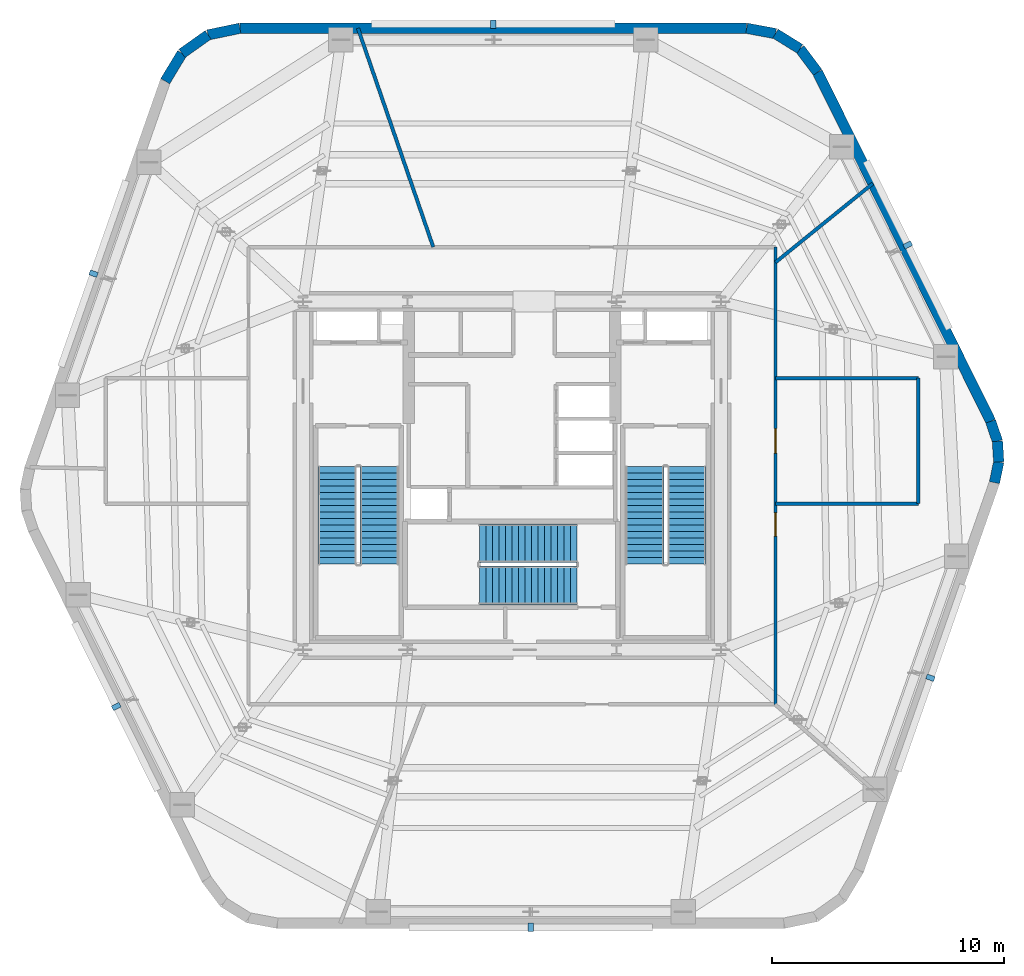
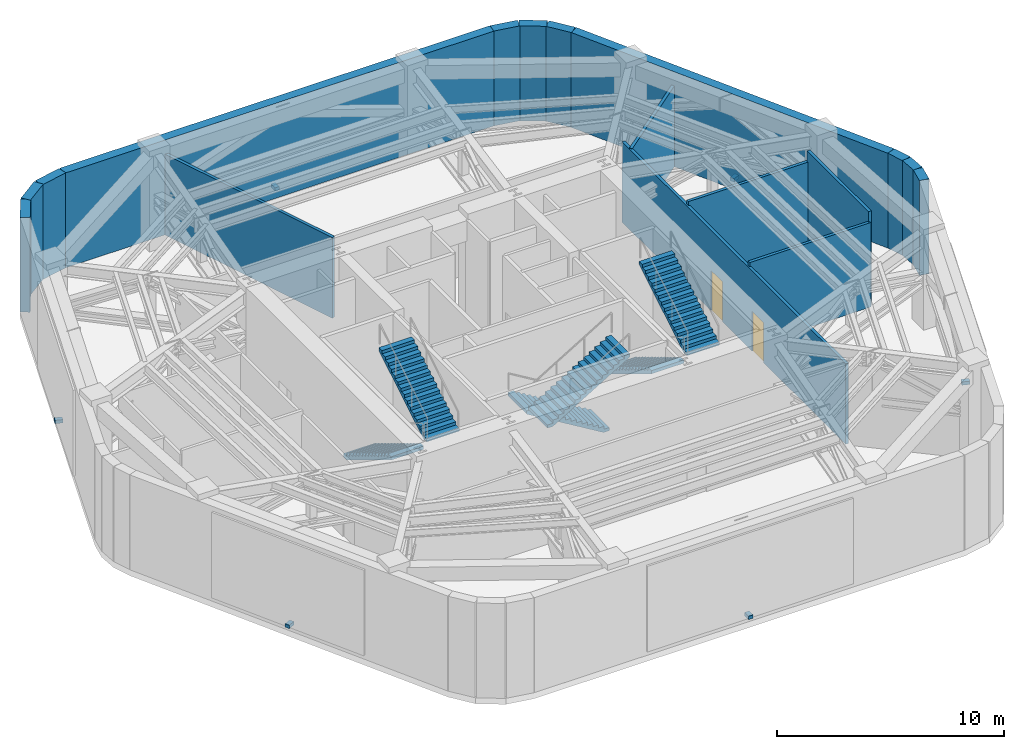
# One storey, part 7 of 10: 17 walls, 6 discrete accessories, 6 stair flights, 2 doors, 2 openings, 3 elements without a shape of their own.
"""IFC4 building model written with IfcOpenShell, lengths in metres."""

from ifc_helpers import new_model, si_unit, direction, frame, frame_2d, origin, origin_2d, place, context, subcontext, project, spatial, polyline, rectangle, outline, extrude, material, layer, layer_set, type_object, element, fill, aggregate, save


model = new_model("IFC4")

# Units and contexts
model_context = context("Model", 3, precision=1e-05, world=origin(), true_north=direction((0.0, 1.0)))
body_context = subcontext(model_context, "Body", "Model", "MODEL_VIEW")
ifc_project = project(units=[si_unit("LENGTHUNIT", "METRE"), si_unit("AREAUNIT", "SQUARE_METRE"), si_unit("VOLUMEUNIT", "CUBIC_METRE"), si_unit("PLANEANGLEUNIT", "RADIAN"), si_unit("MASSUNIT", "GRAM", prefix="KILO")], contexts=[model_context])

# Site, building, storey
site_placement = place(None, origin())
site = spatial("IfcSite", under=ifc_project, at=site_placement, CompositionType="ELEMENT")
building_placement = place(site_placement, origin())
building = spatial("IfcBuilding", under=site, at=building_placement, Name="Kilnhurst Terrace Hotel", CompositionType="ELEMENT")
storey_placement = place(building_placement, frame((0.0, 0.0, 170.199951171875)))
storey = spatial("IfcBuildingStorey", under=building, at=storey_placement, Name="L42", CompositionType="ELEMENT", Elevation=170.199951171875)

# Walls
ifc_material_1 = material(Name="Precast concrete C40/50", Category="concrete")
ifc_layer_1 = layer(ifc_material_1, 0.449951171875, Name="Precast concrete C40/50")
ifc_layer_set_1 = layer_set([ifc_layer_1], Name="Precast concrete C40/50")
wall_type_1 = type_object("IfcWallType", Name="WL-BRK-450", PredefinedType="SOLIDWALL", material=ifc_layer_set_1)
wall_1_placement = place(storey_placement, frame((20.78173828125, -0.298095703125, 0.0), z_axis=(0.0, 0.0, 1.0), x_axis=(0.202570068411, 0.979267771033, 0.0)))
element("IfcWall", 1, at=wall_1_placement, inside=storey, type_object=wall_type_1, Name="L42 Rounded Corner Brick Wall C3.1", PredefinedType="SOLIDWALL", context=body_context, shape_type="SweptSolid", body=[
    extrude(rectangle(XDim=0.90869140625, YDim=0.449951171875, at=frame_2d((0.454345703125, 0.0))), origin(), (0.0, 0.0, 1.0), 5.10009765625),
])
wall_2_placement = place(storey_placement, frame((20.9658203125, 0.591796875, 0.0), z_axis=(0.0, 0.0, 1.0), x_axis=(-0.061748898935, 0.998091715966, 0.0)))
element("IfcWall", 2, at=wall_2_placement, inside=storey, type_object=wall_type_1, Name="L42 Rounded Corner Brick Wall C3.2", PredefinedType="SOLIDWALL", context=body_context, shape_type="SweptSolid", body=[
    extrude(rectangle(XDim=0.8935546875, YDim=0.449951171875, at=frame_2d((0.44677734375, 0.0))), origin(), (0.0, 0.0, 1.0), 5.10009765625),
])
wall_3_placement = place(storey_placement, frame((20.91064453125, 1.483642578125, 0.0), z_axis=(0.0, 0.0, 1.0), x_axis=(-0.321623334353, 0.946867694453, 0.0)))
element("IfcWall", 3, at=wall_3_placement, inside=storey, type_object=wall_type_1, Name="L42 Rounded Corner Brick Wall C3.3", PredefinedType="SOLIDWALL", context=body_context, shape_type="SweptSolid", body=[
    extrude(rectangle(XDim=0.90869140625, YDim=0.449951171875, at=frame_2d((0.454345703125, 0.0))), origin(), (0.0, 0.0, 1.0), 5.10009765625),
])
wall_4_placement = place(storey_placement, frame((13.162353515625, 17.380615234375, 0.0), z_axis=(0.0, 0.0, 1.0), x_axis=(-0.601515770517, 0.798860925205, 0.0)))
element("IfcWall", 4, at=wall_4_placement, inside=storey, type_object=wall_type_1, Name="L42 Rounded Corner Brick Wall C4.1", PredefinedType="SOLIDWALL", context=body_context, shape_type="SweptSolid", body=[
    extrude(rectangle(XDim=1.261962890625, YDim=0.449951171875, at=frame_2d((0.630859375, 0.0))), origin(), (0.0, 0.0, 1.0), 5.10009765625),
])
wall_5_placement = place(storey_placement, frame((12.4033203125, 18.388671875, 0.0), z_axis=(0.0, 0.0, 1.0), x_axis=(-0.849795170926, 0.527113049991, 0.0)))
element("IfcWall", 5, at=wall_5_placement, inside=storey, type_object=wall_type_1, Name="L42 Rounded Corner Brick Wall C4.2", PredefinedType="SOLIDWALL", context=body_context, shape_type="SweptSolid", body=[
    extrude(rectangle(XDim=1.24072265625, YDim=0.449951171875, at=frame_2d((0.620361328125, 0.0))), origin(), (0.0, 0.0, 1.0), 5.10009765625),
])
wall_6_placement = place(storey_placement, frame((11.348876953125, 19.042724609375, 0.0), z_axis=(0.0, 0.0, 1.0), x_axis=(-0.982931267051, 0.183973161772, 0.0)))
element("IfcWall", 6, at=wall_6_placement, inside=storey, type_object=wall_type_1, Name="L42 Rounded Corner Brick Wall C4.3", PredefinedType="SOLIDWALL", context=body_context, shape_type="SweptSolid", body=[
    extrude(rectangle(XDim=1.261962890625, YDim=0.449951171875, at=frame_2d((0.630859375, 0.0))), origin(), (0.0, 0.0, 1.0), 5.10009765625),
])
wall_7_placement = place(storey_placement, frame((-11.720458984375, 19.27490234375, 0.0), z_axis=(0.0, 0.0, 1.0), x_axis=(-0.97893106758, -0.204191001093, 0.0)))
element("IfcWall", 7, at=wall_7_placement, inside=storey, type_object=wall_type_1, Name="L42 Rounded Corner Brick Wall C5.1", PredefinedType="SOLIDWALL", context=body_context, shape_type="SweptSolid", body=[
    extrude(rectangle(XDim=1.400146484375, YDim=0.449951171875, at=frame_2d((0.7001953125, 0.0))), origin(), (0.0, 0.0, 1.0), 5.10009765625),
])
wall_8_placement = place(storey_placement, frame((-13.091064453125, 18.989013671875, 0.0), z_axis=(0.0, 0.0, 1.0), x_axis=(-0.815574637848, -0.578651890258, 0.0)))
element("IfcWall", 8, at=wall_8_placement, inside=storey, type_object=wall_type_1, Name="L42 Rounded Corner Brick Wall C5.2", PredefinedType="SOLIDWALL", context=body_context, shape_type="SweptSolid", body=[
    extrude(rectangle(XDim=1.376708984375, YDim=0.449951171875, at=frame_2d((0.6884765625, 0.0))), origin(), (0.0, 0.0, 1.0), 5.10009765625),
])
wall_9_placement = place(storey_placement, frame((-14.2138671875, 18.1923828125, 0.0), z_axis=(0.0, 0.0, 1.0), x_axis=(-0.516340945502, -0.856383108193, 0.0)))
element("IfcWall", 9, at=wall_9_placement, inside=storey, type_object=wall_type_1, Name="L42 Rounded Corner Brick Wall C5.3", PredefinedType="SOLIDWALL", context=body_context, shape_type="SweptSolid", body=[
    extrude(rectangle(XDim=1.400146484375, YDim=0.449951171875, at=frame_2d((0.7001953125, 0.0))), origin(), (0.0, 0.0, 1.0), 5.10009765625),
])
wall_10_placement = place(storey_placement, frame((20.618408203125, 2.343994140625, 0.0), z_axis=(0.0, 0.0, 1.0), x_axis=(-0.444243691097, 0.895905990002, 0.0)))
element("IfcWall", 10, at=wall_10_placement, inside=storey, type_object=wall_type_1, Name="L42 Exterior Brick Facade Wall F3", PredefinedType="SOLIDWALL", context=body_context, shape_type="SweptSolid", body=[
    extrude(rectangle(XDim=16.78369140625, YDim=0.449951171875, at=frame_2d((8.391845703125, 0.0))), origin(), (0.0, 0.0, 1.0), 5.10009765625),
])
wall_11_placement = place(storey_placement, frame((10.1083984375, 19.27490234375, 0.0), z_axis=(0.0, 0.0, 1.0), x_axis=(-1.0, 0.0, 0.0)))
element("IfcWall", 11, at=wall_11_placement, inside=storey, type_object=wall_type_1, Name="L42 Exterior Brick Facade Wall F4", PredefinedType="SOLIDWALL", context=body_context, shape_type="SweptSolid", body=[
    extrude(rectangle(XDim=21.828857421875, YDim=0.449951171875, at=frame_2d((10.91455078125, 0.0))), origin(), (0.0, 0.0, 1.0), 5.10009765625),
])

# Wall, openings, doors
ifc_material_2 = material(Name="Acoustic Double-Gypsum Corridor Partition Assembly")
ifc_layer_2 = layer(ifc_material_2, 0.14990234375, Name="Acoustic Double-Gypsum Corridor Partition Assembly")
ifc_layer_set_2 = layer_set([ifc_layer_2], Name="Acoustic Double-Gypsum Corridor Partition Assembly")
wall_type_2 = type_object("IfcWallType", Name="WL-COR-150", PredefinedType="PARTITIONING", material=ifc_layer_set_2)
wall_12_placement = place(storey_placement, frame((11.35009765625, 9.85009765625, 0.0), z_axis=(0.0, 0.0, 1.0), x_axis=(0.0, -1.0, 0.0)))
wall_12 = element("IfcWall", 12, at=wall_12_placement, inside=storey, type_object=wall_type_2, Name="L42 Interior Wall WL-L42-COR-03", PredefinedType="PARTITIONING", context=body_context, shape_type="SweptSolid", body=[
    extrude(rectangle(XDim=19.7001953125, YDim=0.14990234375, at=frame_2d((9.85009765625, 0.0))), origin(), (0.0, 0.0, 1.0), 4.31640625),
])
opening_1_placement = place(wall_12_placement, frame((7.824951171875, 0.0, 0.0)))
opening_1 = element("IfcOpeningElement", 13, at=opening_1_placement, cuts=wall_12, Name="Opening D-90A", PredefinedType="OPENING", context=body_context, shape_type="SweptSolid", body=[
    extrude(rectangle(XDim=1.050048828125, YDim=2.14990234375, at=frame_2d((0.52490234375, 1.074951171875))), frame((0.0, 0.0849609375, 0.0), z_axis=(0.0, -1.0, 0.0), x_axis=(1.0, 0.0, 0.0)), (0.0, 0.0, 1.0), 0.169921875),
])
opening_2_placement = place(wall_12_placement, frame((11.446044921875, 0.0, 0.0)))
opening_2 = element("IfcOpeningElement", 14, at=opening_2_placement, cuts=wall_12, Name="Opening D-90B", PredefinedType="OPENING", context=body_context, shape_type="SweptSolid", body=[
    extrude(rectangle(XDim=1.0, YDim=2.14990234375, at=frame_2d((0.5, 1.074951171875))), frame((0.0, 0.0849609375, 0.0), z_axis=(0.0, -1.0, 0.0), x_axis=(1.0, 0.0, 0.0)), (0.0, 0.0, 1.0), 0.169921875),
])
ifc_material_3 = material(Name="Painted Hollow Metal Steel ASTM A36 Fire Door", Category="steel")
door_type_1 = type_object("IfcDoorType", Name="DR-FD90-1000", OperationType="NOTDEFINED", PredefinedType="DOOR", material=ifc_material_3)
door_1_placement = place(opening_2_placement, origin())
door_1 = element("IfcDoor", 15, at=door_1_placement, inside=storey, type_object=door_type_1, Name="L42 Building Automation and Telecom Plant Room Door", OperationType="SINGLE_SWING_LEFT", OverallHeight=2.14990234375, OverallWidth=1.0, PredefinedType="DOOR", context=body_context, shape_type="SweptSolid", body=[
    extrude(rectangle(XDim=1.0, YDim=2.14990234375, at=frame_2d((0.5, 1.074951171875))), frame((0.0, 0.02490234375, 0.0), z_axis=(0.0, -1.0, 0.0), x_axis=(1.0, 0.0, 0.0)), (0.0, 0.0, 1.0), 0.050048828125),
])
fill(opening_2, door_1)
door_type_2 = type_object("IfcDoorType", Name="DR-FD90-1050", OperationType="NOTDEFINED", PredefinedType="DOOR", material=ifc_material_3)
door_2_placement = place(opening_1_placement, origin())
door_2 = element("IfcDoor", 16, at=door_2_placement, inside=storey, type_object=door_type_2, Name="L42 East Area of Refuge Door", OperationType="SINGLE_SWING_RIGHT", OverallHeight=2.14990234375, OverallWidth=1.050048828125, PredefinedType="DOOR", context=body_context, shape_type="SweptSolid", body=[
    extrude(rectangle(XDim=1.050048828125, YDim=2.14990234375, at=frame_2d((0.52490234375, 1.074951171875))), frame((0.0, 0.02490234375, 0.0), z_axis=(0.0, -1.0, 0.0), x_axis=(1.0, 0.0, 0.0)), (0.0, 0.0, 1.0), 0.050048828125),
])
fill(opening_1, door_2)

# Walls
for number, where, z_axis, x_axis, name in (
    (17, (11.35009765625, -1.199951171875, 0.0), (0.0, 0.0, 1.0), (1.0, 0.0, 0.0), "L42 Interior Wall WL-L42-REF-E-S"),
    (18, (11.35009765625, 4.199951171875, 0.0), (0.0, 0.0, 1.0), (1.0, 0.0, 0.0), "L42 Interior Wall WL-L42-REF-E-N"),
):
    element("IfcWall", number, at=place(storey_placement, frame(where, z_axis=z_axis, x_axis=x_axis)), inside=storey, type_object=wall_type_2, Name=name, PredefinedType="PARTITIONING", context=body_context, shape_type="SweptSolid", body=[
        extrude(rectangle(XDim=6.14990234375, YDim=0.14990234375, at=frame_2d((3.074951171875, 0.0))), origin(), (0.0, 0.0, 1.0), 4.54052734375),
    ])
wall_13_placement = place(storey_placement, frame((17.5, -1.199951171875, 0.0), z_axis=(0.0, 0.0, 1.0), x_axis=(0.0, 1.0, 0.0)))
element("IfcWall", 19, at=wall_13_placement, inside=storey, type_object=wall_type_2, Name="L42 Interior Wall WL-L42-REF-E-OUT", PredefinedType="PARTITIONING", context=body_context, shape_type="SweptSolid", body=[
    extrude(rectangle(XDim=5.39990234375, YDim=0.14990234375, at=frame_2d((2.699951171875, 0.0))), origin(), (0.0, 0.0, 1.0), 5.10009765625),
])
wall_14_placement = place(storey_placement, frame((11.35009765625, 9.19091796875, 0.0), z_axis=(0.0, 0.0, 1.0), x_axis=(0.777126765843, 0.62934409492, 0.0)))
element("IfcWall", 20, at=wall_14_placement, inside=storey, type_object=wall_type_2, Name="L42 Interior Wall WL-L42-PDIV-1-1", PredefinedType="PARTITIONING", context=body_context, shape_type="SweptSolid", body=[
    extrude(rectangle(XDim=5.39208984375, YDim=0.14990234375, at=frame_2d((2.696044921875, 0.0))), origin(), (0.0, 0.0, 1.0), 4.340087890625),
])
wall_15_placement = place(storey_placement, frame((-3.3916015625, 9.85009765625, 0.0), z_axis=(0.0, 0.0, 1.0), x_axis=(-0.325580784727, 0.945514226554, 0.0)))
element("IfcWall", 21, at=wall_15_placement, inside=storey, type_object=wall_type_2, Name="L42 Interior Wall WL-L42-PDIV-2-1", PredefinedType="PARTITIONING", context=body_context, shape_type="SweptSolid", body=[
    extrude(rectangle(XDim=9.968017578125, YDim=0.14990234375, at=frame_2d((4.98388671875, 0.0))), origin(), (0.0, 0.0, 1.0), 4.340087890625),
])

# Stair, stair flights
ifc_material_4 = material(Name="Concrete C50/60", Category="concrete")
stair_type = type_object("IfcStairType", Name="STR-CORE-1660", PredefinedType="HALF_TURN_STAIR", material=ifc_material_4)
stair_1_placement = place(storey_placement, origin())
stair_1 = element("IfcStair", 22, at=stair_1_placement, inside=storey, type_object=stair_type, Name="L42 ST-1", PredefinedType="HALF_TURN_STAIR")
stair_flight_type = type_object("IfcStairFlightType", Name="FLT-RC-1660", PredefinedType="STRAIGHT", material=ifc_material_4)
stair_flight_1_placement = place(storey_placement, frame((-7.52001953125, 0.389892578125, 0.0), z_axis=(0.0, 0.0, 1.0), x_axis=(0.0, -1.0, 0.0)))
stair_flight_1 = element("IfcStairFlight", 23, at=stair_flight_1_placement, type_object=stair_flight_type, Name="ST-1 flight 1", NumberOfRisers=16, NumberOfTreads=15, PredefinedType="STRAIGHT", RiserHeight=0.16875, TreadLength=0.28, context=body_context, shape_type="SweptSolid", body=[
    extrude(outline(polyline([(0.0, 0.0), (0.0, 0.168701171875), (0.280029296875, 0.168701171875), (0.280029296875, 0.33740234375), (0.56005859375, 0.33740234375), (0.56005859375, 0.50634765625), (0.840087890625, 0.50634765625), (0.840087890625, 0.675048828125), (1.1201171875, 0.675048828125), (1.1201171875, 0.84375), (1.39990234375, 0.84375), (1.39990234375, 1.012451171875), (1.679931640625, 1.012451171875), (1.679931640625, 1.18115234375), (1.9599609375, 1.18115234375), (1.9599609375, 1.35009765625), (2.239990234375, 1.35009765625), (2.239990234375, 1.518798828125), (2.52001953125, 1.518798828125), (2.52001953125, 1.6875), (2.800048828125, 1.6875), (2.800048828125, 1.856201171875), (3.080078125, 1.856201171875), (3.080078125, 2.02490234375), (3.360107421875, 2.02490234375), (3.360107421875, 2.19384765625), (3.639892578125, 2.19384765625), (3.639892578125, 2.362548828125), (3.919921875, 2.362548828125), (3.919921875, 2.53125), (4.199951171875, 2.53125), (4.199951171875, 2.699951171875), (4.199951171875, 2.356201171875), (0.29052734375, 0.0), (0.0, 0.0)])), frame((0.0, 0.830078125, 0.0), z_axis=(0.0, -1.0, 0.0), x_axis=(1.0, 0.0, 0.0)), (0.0, 0.0, 1.0), 1.659912109375),
])
stair_flight_2_placement = place(storey_placement, frame((-5.7099609375, -3.81005859375, 2.699951171875), z_axis=(0.0, 0.0, 1.0), x_axis=(0.0, 1.0, 0.0)))
stair_flight_2 = element("IfcStairFlight", 24, at=stair_flight_2_placement, type_object=stair_flight_type, Name="ST-1 flight 2", NumberOfRisers=16, NumberOfTreads=15, PredefinedType="STRAIGHT", RiserHeight=0.16875, TreadLength=0.28, context=body_context, shape_type="SweptSolid", body=[
    extrude(outline(polyline([(0.0, 0.0), (0.0, 0.168701171875), (0.280029296875, 0.168701171875), (0.280029296875, 0.33740234375), (0.56005859375, 0.33740234375), (0.56005859375, 0.50634765625), (0.840087890625, 0.50634765625), (0.840087890625, 0.675048828125), (1.1201171875, 0.675048828125), (1.1201171875, 0.84375), (1.39990234375, 0.84375), (1.39990234375, 1.012451171875), (1.679931640625, 1.012451171875), (1.679931640625, 1.18115234375), (1.9599609375, 1.18115234375), (1.9599609375, 1.35009765625), (2.239990234375, 1.35009765625), (2.239990234375, 1.518798828125), (2.52001953125, 1.518798828125), (2.52001953125, 1.6875), (2.800048828125, 1.6875), (2.800048828125, 1.856201171875), (3.080078125, 1.856201171875), (3.080078125, 2.02490234375), (3.360107421875, 2.02490234375), (3.360107421875, 2.19384765625), (3.639892578125, 2.19384765625), (3.639892578125, 2.362548828125), (3.919921875, 2.362548828125), (3.919921875, 2.53125), (4.199951171875, 2.53125), (4.199951171875, 2.699951171875), (4.199951171875, 2.356201171875), (0.29052734375, 0.0), (0.0, 0.0)])), frame((0.0, 0.830078125, 0.0), z_axis=(0.0, -1.0, 0.0), x_axis=(1.0, 0.0, 0.0)), (0.0, 0.0, 1.0), 1.659912109375),
])
aggregate(stair_1, [stair_flight_1, stair_flight_2])

stair_2_placement = place(storey_placement, origin())
stair_2 = element("IfcStair", 25, at=stair_2_placement, inside=storey, type_object=stair_type, Name="L42 ST-2", PredefinedType="HALF_TURN_STAIR")
stair_flight_3_placement = place(storey_placement, frame((5.7099609375, 0.389892578125, 0.0), z_axis=(0.0, 0.0, 1.0), x_axis=(0.0, -1.0, 0.0)))
stair_flight_3 = element("IfcStairFlight", 26, at=stair_flight_3_placement, type_object=stair_flight_type, Name="ST-2 flight 1", NumberOfRisers=16, NumberOfTreads=15, PredefinedType="STRAIGHT", RiserHeight=0.16875, TreadLength=0.28, context=body_context, shape_type="SweptSolid", body=[
    extrude(outline(polyline([(0.0, 0.0), (0.0, 0.168701171875), (0.280029296875, 0.168701171875), (0.280029296875, 0.33740234375), (0.56005859375, 0.33740234375), (0.56005859375, 0.50634765625), (0.840087890625, 0.50634765625), (0.840087890625, 0.675048828125), (1.1201171875, 0.675048828125), (1.1201171875, 0.84375), (1.39990234375, 0.84375), (1.39990234375, 1.012451171875), (1.679931640625, 1.012451171875), (1.679931640625, 1.18115234375), (1.9599609375, 1.18115234375), (1.9599609375, 1.35009765625), (2.239990234375, 1.35009765625), (2.239990234375, 1.518798828125), (2.52001953125, 1.518798828125), (2.52001953125, 1.6875), (2.800048828125, 1.6875), (2.800048828125, 1.856201171875), (3.080078125, 1.856201171875), (3.080078125, 2.02490234375), (3.360107421875, 2.02490234375), (3.360107421875, 2.19384765625), (3.639892578125, 2.19384765625), (3.639892578125, 2.362548828125), (3.919921875, 2.362548828125), (3.919921875, 2.53125), (4.199951171875, 2.53125), (4.199951171875, 2.699951171875), (4.199951171875, 2.356201171875), (0.29052734375, 0.0), (0.0, 0.0)])), frame((0.0, 0.830078125, 0.0), z_axis=(0.0, -1.0, 0.0), x_axis=(1.0, 0.0, 0.0)), (0.0, 0.0, 1.0), 1.659912109375),
])
stair_flight_4_placement = place(storey_placement, frame((7.52001953125, -3.81005859375, 2.699951171875), z_axis=(0.0, 0.0, 1.0), x_axis=(0.0, 1.0, 0.0)))
stair_flight_4 = element("IfcStairFlight", 27, at=stair_flight_4_placement, type_object=stair_flight_type, Name="ST-2 flight 2", NumberOfRisers=16, NumberOfTreads=15, PredefinedType="STRAIGHT", RiserHeight=0.16875, TreadLength=0.28, context=body_context, shape_type="SweptSolid", body=[
    extrude(outline(polyline([(0.0, 0.0), (0.0, 0.168701171875), (0.280029296875, 0.168701171875), (0.280029296875, 0.33740234375), (0.56005859375, 0.33740234375), (0.56005859375, 0.50634765625), (0.840087890625, 0.50634765625), (0.840087890625, 0.675048828125), (1.1201171875, 0.675048828125), (1.1201171875, 0.84375), (1.39990234375, 0.84375), (1.39990234375, 1.012451171875), (1.679931640625, 1.012451171875), (1.679931640625, 1.18115234375), (1.9599609375, 1.18115234375), (1.9599609375, 1.35009765625), (2.239990234375, 1.35009765625), (2.239990234375, 1.518798828125), (2.52001953125, 1.518798828125), (2.52001953125, 1.6875), (2.800048828125, 1.6875), (2.800048828125, 1.856201171875), (3.080078125, 1.856201171875), (3.080078125, 2.02490234375), (3.360107421875, 2.02490234375), (3.360107421875, 2.19384765625), (3.639892578125, 2.19384765625), (3.639892578125, 2.362548828125), (3.919921875, 2.362548828125), (3.919921875, 2.53125), (4.199951171875, 2.53125), (4.199951171875, 2.699951171875), (4.199951171875, 2.356201171875), (0.29052734375, 0.0), (0.0, 0.0)])), frame((0.0, 0.830078125, 0.0), z_axis=(0.0, -1.0, 0.0), x_axis=(1.0, 0.0, 0.0)), (0.0, 0.0, 1.0), 1.659912109375),
])
aggregate(stair_2, [stair_flight_3, stair_flight_4])

stair_3_placement = place(storey_placement, origin())
stair_3 = element("IfcStair", 28, at=stair_3_placement, inside=storey, type_object=stair_type, Name="L42 ST-3", PredefinedType="HALF_TURN_STAIR")
stair_flight_5_placement = place(storey_placement, frame((2.7900390625, -2.909912109375, 0.0), z_axis=(0.0, 0.0, 1.0), x_axis=(-1.0, 0.0, 0.0)))
stair_flight_5 = element("IfcStairFlight", 29, at=stair_flight_5_placement, type_object=stair_flight_type, Name="ST-3 flight 1", NumberOfRisers=16, NumberOfTreads=15, PredefinedType="STRAIGHT", RiserHeight=0.16875, TreadLength=0.28, context=body_context, shape_type="SweptSolid", body=[
    extrude(outline(polyline([(0.0, 0.0), (0.0, 0.168701171875), (0.280029296875, 0.168701171875), (0.280029296875, 0.33740234375), (0.56005859375, 0.33740234375), (0.56005859375, 0.50634765625), (0.840087890625, 0.50634765625), (0.840087890625, 0.675048828125), (1.1201171875, 0.675048828125), (1.1201171875, 0.84375), (1.39990234375, 0.84375), (1.39990234375, 1.012451171875), (1.679931640625, 1.012451171875), (1.679931640625, 1.18115234375), (1.9599609375, 1.18115234375), (1.9599609375, 1.35009765625), (2.239990234375, 1.35009765625), (2.239990234375, 1.518798828125), (2.52001953125, 1.518798828125), (2.52001953125, 1.6875), (2.800048828125, 1.6875), (2.800048828125, 1.856201171875), (3.080078125, 1.856201171875), (3.080078125, 2.02490234375), (3.360107421875, 2.02490234375), (3.360107421875, 2.19384765625), (3.639892578125, 2.19384765625), (3.639892578125, 2.362548828125), (3.919921875, 2.362548828125), (3.919921875, 2.53125), (4.199951171875, 2.53125), (4.199951171875, 2.699951171875), (4.199951171875, 2.356201171875), (0.29052734375, 0.0), (0.0, 0.0)])), frame((0.0, 0.830078125, 0.0), z_axis=(0.0, -1.0, 0.0), x_axis=(1.0, 0.0, 0.0)), (0.0, 0.0, 1.0), 1.659912109375),
])
stair_flight_6_placement = place(storey_placement, frame((-1.409912109375, -4.719970703125, 2.699951171875), z_axis=(0.0, 0.0, 1.0), x_axis=(1.0, 0.0, 0.0)))
stair_flight_6 = element("IfcStairFlight", 30, at=stair_flight_6_placement, type_object=stair_flight_type, Name="ST-3 flight 2", NumberOfRisers=16, NumberOfTreads=15, PredefinedType="STRAIGHT", RiserHeight=0.16875, TreadLength=0.28, context=body_context, shape_type="SweptSolid", body=[
    extrude(outline(polyline([(0.0, 0.0), (0.0, 0.168701171875), (0.280029296875, 0.168701171875), (0.280029296875, 0.33740234375), (0.56005859375, 0.33740234375), (0.56005859375, 0.50634765625), (0.840087890625, 0.50634765625), (0.840087890625, 0.675048828125), (1.1201171875, 0.675048828125), (1.1201171875, 0.84375), (1.39990234375, 0.84375), (1.39990234375, 1.012451171875), (1.679931640625, 1.012451171875), (1.679931640625, 1.18115234375), (1.9599609375, 1.18115234375), (1.9599609375, 1.35009765625), (2.239990234375, 1.35009765625), (2.239990234375, 1.518798828125), (2.52001953125, 1.518798828125), (2.52001953125, 1.6875), (2.800048828125, 1.6875), (2.800048828125, 1.856201171875), (3.080078125, 1.856201171875), (3.080078125, 2.02490234375), (3.360107421875, 2.02490234375), (3.360107421875, 2.19384765625), (3.639892578125, 2.19384765625), (3.639892578125, 2.362548828125), (3.919921875, 2.362548828125), (3.919921875, 2.53125), (4.199951171875, 2.53125), (4.199951171875, 2.699951171875), (4.199951171875, 2.356201171875), (0.29052734375, 0.0), (0.0, 0.0)])), frame((0.0, 0.830078125, 0.0), z_axis=(0.0, -1.0, 0.0), x_axis=(1.0, 0.0, 0.0)), (0.0, 0.0, 1.0), 1.659912109375),
])
aggregate(stair_3, [stair_flight_5, stair_flight_6])

# Discrete accessories
ifc_material_5 = material(Name="Galvanized Steel ASTM A572 Grade 50", Category="steel")
discrete_accessory_type = type_object("IfcDiscreteAccessoryType", Name="ACC-BRK-STL", PredefinedType="BRACKET", material=ifc_material_5)
for number, where, z_axis, x_axis, name in (
    (31, (0.8056640625, -19.449951171875, 0.2099609375), (0.0, 0.0, 1.0), (1.0, 0.0, 0.0), "L42 Storm Louvre Support Bracket SHD-L42-LVR-F1"),
    (32, (18.0244140625, -8.703369140625, 0.2099609375), (0.0, 0.0, 1.0), (0.330432029284, 0.943829790811, 0.0), "L42 Storm Louvre Support Bracket SHD-L42-LVR-F2"),
    (33, (17.047119140625, 9.940185546875, 0.2099609375), (0.0, 0.0, 1.0), (-0.444244308887, 0.895905683664, 0.0), "L42 Storm Louvre Support Bracket SHD-L42-LVR-F3"),
    (34, (-0.8056640625, 19.449951171875, 0.2099609375), (0.0, 0.0, 1.0), (-1.0, 0.0, 0.0), "L42 Storm Louvre Support Bracket SHD-L42-LVR-F4"),
    (35, (-18.0244140625, 8.703369140625, 0.2099609375), (0.0, 0.0, 1.0), (-0.330432029284, -0.943829790811, 0.0), "L42 Storm Louvre Support Bracket SHD-L42-LVR-F5"),
    (36, (-17.047119140625, -9.940185546875, 0.2099609375), (0.0, 0.0, 1.0), (0.444244308887, -0.895905683664, 0.0), "L42 Storm Louvre Support Bracket SHD-L42-LVR-F6"),
):
    element("IfcDiscreteAccessory", number, at=place(storey_placement, frame(where, z_axis=z_axis, x_axis=x_axis)), inside=storey, type_object=discrete_accessory_type, Name=name, PredefinedType="BRACKET", context=body_context, shape_type="SweptSolid", body=[
        extrude(rectangle(XDim=0.219970703125, YDim=0.360107421875, at=origin_2d()), origin(), (0.0, 0.0, 1.0), 0.179931640625),
    ])

save(model, "model.ifc")
